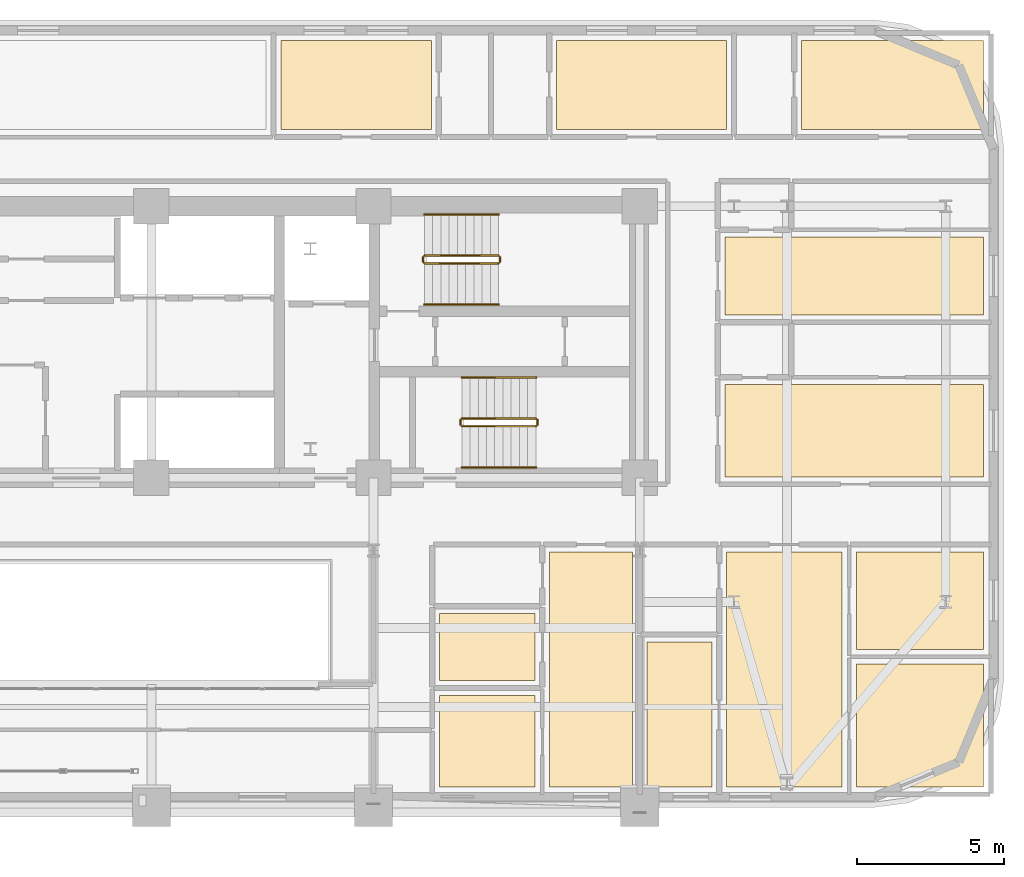
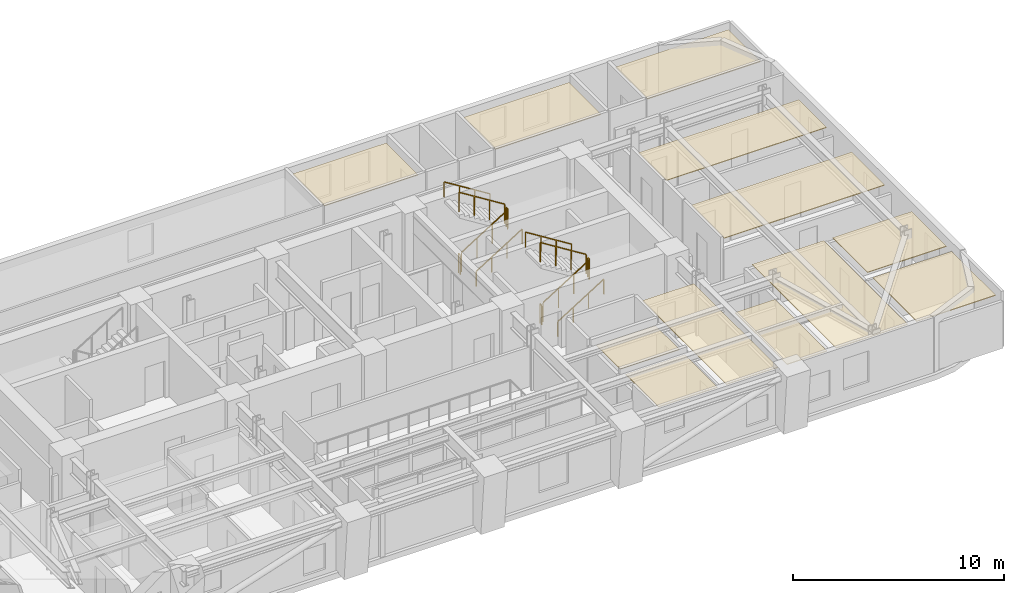
# One storey, part 16 of 16: 12 coverings, 12 railings.
"""IFC4 building model written with IfcOpenShell, lengths in metres."""

from ifc_helpers import new_model, si_unit, direction, frame, origin, origin_2d, place, context, subcontext, project, spatial, polyline, rectangle, outline, extrude, material, layer, layer_set, type_object, element, save


model = new_model("IFC4")

# Units and contexts
model_context = context("Model", 3, precision=1e-05, world=origin(), true_north=direction((0.0, 1.0)))
body_context = subcontext(model_context, "Body", "Model", "MODEL_VIEW")
ifc_project = project(units=[si_unit("LENGTHUNIT", "METRE"), si_unit("AREAUNIT", "SQUARE_METRE"), si_unit("VOLUMEUNIT", "CUBIC_METRE"), si_unit("PLANEANGLEUNIT", "RADIAN"), si_unit("MASSUNIT", "GRAM", prefix="KILO")], contexts=[model_context])

# Site, building, storey
site_placement = place(None, origin())
site = spatial("IfcSite", under=ifc_project, at=site_placement, CompositionType="ELEMENT")
building_placement = place(site_placement, origin())
building = spatial("IfcBuilding", under=site, at=building_placement, Name="Zarnavel Station Tower", CompositionType="ELEMENT")
storey_placement = place(building_placement, frame((0.0, 0.0, 104.800048828125)))
storey = spatial("IfcBuildingStorey", under=building, at=storey_placement, Name="L28", CompositionType="ELEMENT", Elevation=104.800048828125)

# Coverings
ifc_material_1 = material(Name="Perforated Gypsum and Mineral-Wool Acoustic Ceiling", Category="concrete")
ifc_layer = layer(ifc_material_1, 0.0400390625)
ifc_layer_set = layer_set([ifc_layer], Name="COV_CEIL_ACOUSTIC")
covering_type = type_object("IfcCoveringType", Name="COV_CEIL_ACOUSTIC", PredefinedType="CEILING", material=ifc_layer_set)
covering_1_placement = place(storey_placement, frame((0.0, 0.0, 2.919921875)))
element("IfcCovering", 1, at=covering_1_placement, inside=storey, type_object=covering_type, Name="L28 FNE1R Acoustic Ceiling", PredefinedType="CEILING", context=body_context, shape_type="SweptSolid", body=[
    extrude(outline(polyline([(48.300048828125, 27.85009765625), (57.090087890625, 27.85009765625), (57.090087890625, 30.986083984375), (48.300048828125, 30.986083984375), (48.300048828125, 27.85009765625)])), origin(), (0.0, 0.0, 1.0), 0.0400390625),
])
covering_2_placement = place(storey_placement, frame((0.0, 0.0, 2.919921875)))
element("IfcCovering", 2, at=covering_2_placement, inside=storey, type_object=covering_type, Name="L28 FNE2R Acoustic Ceiling", PredefinedType="CEILING", context=body_context, shape_type="SweptSolid", body=[
    extrude(outline(polyline([(48.300048828125, 33.35888671875), (57.090087890625, 33.35888671875), (57.090087890625, 36.0), (48.300048828125, 36.0), (48.300048828125, 33.35888671875)])), origin(), (0.0, 0.0, 1.0), 0.0400390625),
])
covering_3_placement = place(storey_placement, frame((0.0, 0.0, 2.919921875)))
element("IfcCovering", 3, at=covering_3_placement, inside=storey, type_object=covering_type, Name="L28 HN1R Acoustic Ceiling", PredefinedType="CEILING", context=body_context, shape_type="SweptSolid", body=[
    extrude(outline(polyline([(33.199951171875, 39.64990234375), (38.31689453125, 39.64990234375), (38.31689453125, 42.68994140625), (33.199951171875, 42.68994140625), (33.199951171875, 39.64990234375)])), origin(), (0.0, 0.0, 1.0), 0.0400390625),
])
covering_4_placement = place(storey_placement, frame((0.0, 0.0, 2.919921875)))
element("IfcCovering", 4, at=covering_4_placement, inside=storey, type_object=covering_type, Name="L28 HN2R Acoustic Ceiling", PredefinedType="CEILING", context=body_context, shape_type="SweptSolid", body=[
    extrude(outline(polyline([(42.572998046875, 39.64990234375), (48.35009765625, 39.64990234375), (48.35009765625, 42.68994140625), (42.572998046875, 42.68994140625), (42.572998046875, 39.64990234375)])), origin(), (0.0, 0.0, 1.0), 0.0400390625),
])
covering_5_placement = place(storey_placement, frame((0.0, 0.0, 2.919921875)))
element("IfcCovering", 5, at=covering_5_placement, inside=storey, type_object=covering_type, Name="L28 HN3R Acoustic Ceiling", PredefinedType="CEILING", context=body_context, shape_type="SweptSolid", body=[
    extrude(outline(polyline([(50.89990234375, 39.64990234375), (57.090087890625, 39.64990234375), (57.090087890625, 42.68994140625), (50.89990234375, 42.68994140625), (50.89990234375, 39.64990234375)])), origin(), (0.0, 0.0, 1.0), 0.0400390625),
])
covering_6_placement = place(storey_placement, frame((0.0, 0.0, 2.919921875)))
element("IfcCovering", 6, at=covering_6_placement, inside=storey, type_object=covering_type, Name="L28 UE1ALV Acoustic Ceiling", PredefinedType="CEILING", context=body_context, shape_type="SweptSolid", body=[
    extrude(outline(polyline([(42.3369140625, 17.31005859375), (45.14990234375, 17.31005859375), (45.14990234375, 25.300048828125), (42.3369140625, 25.300048828125), (42.3369140625, 17.31005859375)])), origin(), (0.0, 0.0, 1.0), 0.0400390625),
])
covering_7_placement = place(storey_placement, frame((0.0, 0.0, 2.919921875)))
element("IfcCovering", 7, at=covering_7_placement, inside=storey, type_object=covering_type, Name="L28 UE1AB1 Acoustic Ceiling", PredefinedType="CEILING", context=body_context, shape_type="SweptSolid", body=[
    extrude(outline(polyline([(38.60009765625, 17.31005859375), (41.8369140625, 17.31005859375), (41.8369140625, 20.423095703125), (38.60009765625, 20.423095703125), (38.60009765625, 17.31005859375)])), origin(), (0.0, 0.0, 1.0), 0.0400390625),
])
covering_8_placement = place(storey_placement, frame((0.0, 0.0, 2.919921875)))
element("IfcCovering", 8, at=covering_8_placement, inside=storey, type_object=covering_type, Name="L28 UE1AKT Acoustic Ceiling", PredefinedType="CEILING", context=body_context, shape_type="SweptSolid", body=[
    extrude(outline(polyline([(38.60009765625, 20.923095703125), (41.8369140625, 20.923095703125), (41.8369140625, 23.202880859375), (38.60009765625, 23.202880859375), (38.60009765625, 20.923095703125)])), origin(), (0.0, 0.0, 1.0), 0.0400390625),
])
covering_9_placement = place(storey_placement, frame((0.0, 0.0, 2.919921875)))
element("IfcCovering", 9, at=covering_9_placement, inside=storey, type_object=covering_type, Name="L28 UE1BLV Acoustic Ceiling", PredefinedType="CEILING", context=body_context, shape_type="SweptSolid", body=[
    extrude(outline(polyline([(48.35009765625, 17.31005859375), (52.26806640625, 17.31005859375), (52.26806640625, 25.300048828125), (48.35009765625, 25.300048828125), (48.35009765625, 17.31005859375)])), origin(), (0.0, 0.0, 1.0), 0.0400390625),
])
covering_10_placement = place(storey_placement, frame((0.0, 0.0, 2.919921875)))
element("IfcCovering", 10, at=covering_10_placement, inside=storey, type_object=covering_type, Name="L28 UE1BKT Acoustic Ceiling", PredefinedType="CEILING", context=body_context, shape_type="SweptSolid", body=[
    extrude(outline(polyline([(45.64990234375, 17.31005859375), (47.85009765625, 17.31005859375), (47.85009765625, 22.243896484375), (45.64990234375, 22.243896484375), (45.64990234375, 17.31005859375)])), origin(), (0.0, 0.0, 1.0), 0.0400390625),
])
covering_11_placement = place(storey_placement, frame((0.0, 0.0, 2.919921875)))
element("IfcCovering", 11, at=covering_11_placement, inside=storey, type_object=covering_type, Name="L28 UE1BB1 Acoustic Ceiling", PredefinedType="CEILING", context=body_context, shape_type="SweptSolid", body=[
    extrude(outline(polyline([(52.76806640625, 17.31005859375), (57.090087890625, 17.31005859375), (57.090087890625, 21.490966796875), (52.76806640625, 21.490966796875), (52.76806640625, 17.31005859375)])), origin(), (0.0, 0.0, 1.0), 0.0400390625),
])
covering_12_placement = place(storey_placement, frame((0.0, 0.0, 2.919921875)))
element("IfcCovering", 12, at=covering_12_placement, inside=storey, type_object=covering_type, Name="L28 UE1BB2 Acoustic Ceiling", PredefinedType="CEILING", context=body_context, shape_type="SweptSolid", body=[
    extrude(outline(polyline([(52.76806640625, 21.990966796875), (57.090087890625, 21.990966796875), (57.090087890625, 25.300048828125), (52.76806640625, 25.300048828125), (52.76806640625, 21.990966796875)])), origin(), (0.0, 0.0, 1.0), 0.0400390625),
])

# Railings
ifc_material_2 = material(Name="Painted Steel S355J2 Balustrade", Category="steel")
railing_type_1 = type_object("IfcRailingType", Name="GR_INT_1150", PredefinedType="GUARDRAIL", material=ifc_material_2)
railing_1_placement = place(storey_placement, frame((38.080078125, 35.110107421875, 0.175048828125)))
element("IfcRailing", 13, at=railing_1_placement, inside=storey, type_object=railing_type_1, Name="L28 ST2 stair guard 1", PredefinedType="GUARDRAIL", context=body_context, shape_type="SweptSolid", body=[
    extrude(rectangle(XDim=0.048095703125, YDim=0.048095703125, at=origin_2d()), frame((0.001708984375, 0.0, 1.126953125), z_axis=(0.848007534815, 0.0, 0.529984170421), x_axis=(0.0, 1.0, 0.0)), (0.0, 0.0, 1.0), 2.9677734375),
    extrude(rectangle(XDim=0.0419921875, YDim=0.0419921875, at=origin_2d()), origin(), (0.0, 0.0, 1.0), 1.101806640625),
    extrude(rectangle(XDim=0.0419921875, YDim=0.0419921875, at=origin_2d()), frame((0.840087890625, 0.0, 0.52490234375)), (0.0, 0.0, 1.0), 1.101806640625),
    extrude(rectangle(XDim=0.0419921875, YDim=0.0419921875, at=origin_2d()), frame((1.679931640625, 0.0, 1.050048828125)), (0.0, 0.0, 1.0), 1.101806640625),
    extrude(rectangle(XDim=0.0419921875, YDim=0.0419921875, at=origin_2d()), frame((2.52001953125, 0.0, 1.574951171875)), (0.0, 0.0, 1.0), 1.101806640625),
])
railing_2_placement = place(storey_placement, frame((40.64990234375, 35.159912109375, 1.75)))
element("IfcRailing", 14, at=railing_2_placement, inside=storey, type_object=railing_type_1, Name="L28 ST2 stair guard 2", PredefinedType="GUARDRAIL", context=body_context, shape_type="SweptSolid", body=[
    extrude(rectangle(XDim=0.048095703125, YDim=0.048095703125, at=origin_2d()), frame((0.0, 0.001953125, 1.1259765625), z_axis=(0.0, 1.0, 0.0), x_axis=(-1.0, 0.0, 0.0)), (0.0, 0.0, 1.0), 0.15625),
    extrude(rectangle(XDim=0.0419921875, YDim=0.0419921875, at=origin_2d()), origin(), (0.0, 0.0, 1.0), 1.101806640625),
    extrude(rectangle(XDim=0.0419921875, YDim=0.0419921875, at=origin_2d()), frame((0.0, 0.16015625, 0.0)), (0.0, 0.0, 1.0), 1.101806640625),
])
railing_3_placement = place(storey_placement, frame((40.60009765625, 35.3701171875, 1.925048828125)))
element("IfcRailing", 15, at=railing_3_placement, inside=storey, type_object=railing_type_1, Name="L28 ST2 stair guard 3", PredefinedType="GUARDRAIL", context=body_context, shape_type="SweptSolid", body=[
    extrude(rectangle(XDim=0.048095703125, YDim=0.048095703125, at=origin_2d()), frame((-0.001708984375, 0.0, 1.126953125), z_axis=(-0.848007534815, 0.0, 0.529984170421), x_axis=(0.0, -1.0, 0.0)), (0.0, 0.0, 1.0), 2.9677734375),
    extrude(rectangle(XDim=0.0419921875, YDim=0.0419921875, at=origin_2d()), origin(), (0.0, 0.0, 1.0), 1.101806640625),
    extrude(rectangle(XDim=0.0419921875, YDim=0.0419921875, at=origin_2d()), frame((-0.840087890625, 0.0, 0.52490234375)), (0.0, 0.0, 1.0), 1.101806640625),
    extrude(rectangle(XDim=0.0419921875, YDim=0.0419921875, at=origin_2d()), frame((-1.679931640625, 0.0, 1.050048828125)), (0.0, 0.0, 1.0), 1.101806640625),
    extrude(rectangle(XDim=0.0419921875, YDim=0.0419921875, at=origin_2d()), frame((-2.52001953125, 0.0, 1.574951171875)), (0.0, 0.0, 1.0), 1.101806640625),
])
railing_4_placement = place(storey_placement, frame((38.030029296875, 35.159912109375, 0.0)))
element("IfcRailing", 16, at=railing_4_placement, inside=storey, type_object=railing_type_1, Name="L28 ST2 stair guard 4", PredefinedType="GUARDRAIL", context=body_context, shape_type="SweptSolid", body=[
    extrude(rectangle(XDim=0.048095703125, YDim=0.048095703125, at=origin_2d()), frame((0.0, 0.001953125, 1.1259765625), z_axis=(0.0, 1.0, 0.0), x_axis=(-1.0, 0.0, 0.0)), (0.0, 0.0, 1.0), 0.15625),
    extrude(rectangle(XDim=0.0419921875, YDim=0.0419921875, at=origin_2d()), origin(), (0.0, 0.0, 1.0), 1.101806640625),
    extrude(rectangle(XDim=0.0419921875, YDim=0.0419921875, at=origin_2d()), frame((0.0, 0.16015625, 0.0)), (0.0, 0.0, 1.0), 1.101806640625),
])
railing_5_placement = place(storey_placement, frame((39.35009765625, 29.570068359375, 0.175048828125)))
element("IfcRailing", 17, at=railing_5_placement, inside=storey, type_object=railing_type_1, Name="L28 ST3 stair guard 1", PredefinedType="GUARDRAIL", context=body_context, shape_type="SweptSolid", body=[
    extrude(rectangle(XDim=0.048095703125, YDim=0.048095703125, at=origin_2d()), frame((0.001708984375, 0.0, 1.126953125), z_axis=(0.848007534815, 0.0, 0.529984170421), x_axis=(0.0, 1.0, 0.0)), (0.0, 0.0, 1.0), 2.9677734375),
    extrude(rectangle(XDim=0.0419921875, YDim=0.0419921875, at=origin_2d()), origin(), (0.0, 0.0, 1.0), 1.101806640625),
    extrude(rectangle(XDim=0.0419921875, YDim=0.0419921875, at=origin_2d()), frame((0.840087890625, 0.0, 0.52490234375)), (0.0, 0.0, 1.0), 1.101806640625),
    extrude(rectangle(XDim=0.0419921875, YDim=0.0419921875, at=origin_2d()), frame((1.679931640625, 0.0, 1.050048828125)), (0.0, 0.0, 1.0), 1.101806640625),
    extrude(rectangle(XDim=0.0419921875, YDim=0.0419921875, at=origin_2d()), frame((2.52001953125, 0.0, 1.574951171875)), (0.0, 0.0, 1.0), 1.101806640625),
])
railing_6_placement = place(storey_placement, frame((41.919921875, 29.6201171875, 1.75)))
element("IfcRailing", 18, at=railing_6_placement, inside=storey, type_object=railing_type_1, Name="L28 ST3 stair guard 2", PredefinedType="GUARDRAIL", context=body_context, shape_type="SweptSolid", body=[
    extrude(rectangle(XDim=0.048095703125, YDim=0.048095703125, at=origin_2d()), frame((0.0, 0.001953125, 1.1259765625), z_axis=(0.0, 1.0, 0.0), x_axis=(-1.0, 0.0, 0.0)), (0.0, 0.0, 1.0), 0.156005859375),
    extrude(rectangle(XDim=0.0419921875, YDim=0.0419921875, at=origin_2d()), origin(), (0.0, 0.0, 1.0), 1.101806640625),
    extrude(rectangle(XDim=0.0419921875, YDim=0.0419921875, at=origin_2d()), frame((0.0, 0.159912109375, 0.0)), (0.0, 0.0, 1.0), 1.101806640625),
])
railing_7_placement = place(storey_placement, frame((41.8701171875, 29.830078125, 1.925048828125)))
element("IfcRailing", 19, at=railing_7_placement, inside=storey, type_object=railing_type_1, Name="L28 ST3 stair guard 3", PredefinedType="GUARDRAIL", context=body_context, shape_type="SweptSolid", body=[
    extrude(rectangle(XDim=0.048095703125, YDim=0.048095703125, at=origin_2d()), frame((-0.001708984375, 0.0, 1.126953125), z_axis=(-0.848007534815, 0.0, 0.529984170421), x_axis=(0.0, -1.0, 0.0)), (0.0, 0.0, 1.0), 2.9677734375),
    extrude(rectangle(XDim=0.0419921875, YDim=0.0419921875, at=origin_2d()), origin(), (0.0, 0.0, 1.0), 1.101806640625),
    extrude(rectangle(XDim=0.0419921875, YDim=0.0419921875, at=origin_2d()), frame((-0.840087890625, 0.0, 0.52490234375)), (0.0, 0.0, 1.0), 1.101806640625),
    extrude(rectangle(XDim=0.0419921875, YDim=0.0419921875, at=origin_2d()), frame((-1.679931640625, 0.0, 1.050048828125)), (0.0, 0.0, 1.0), 1.101806640625),
    extrude(rectangle(XDim=0.0419921875, YDim=0.0419921875, at=origin_2d()), frame((-2.52001953125, 0.0, 1.574951171875)), (0.0, 0.0, 1.0), 1.101806640625),
])
railing_8_placement = place(storey_placement, frame((39.300048828125, 29.6201171875, 0.0)))
element("IfcRailing", 20, at=railing_8_placement, inside=storey, type_object=railing_type_1, Name="L28 ST3 stair guard 4", PredefinedType="GUARDRAIL", context=body_context, shape_type="SweptSolid", body=[
    extrude(rectangle(XDim=0.048095703125, YDim=0.048095703125, at=origin_2d()), frame((0.0, 0.001953125, 1.1259765625), z_axis=(0.0, 1.0, 0.0), x_axis=(-1.0, 0.0, 0.0)), (0.0, 0.0, 1.0), 0.156005859375),
    extrude(rectangle(XDim=0.0419921875, YDim=0.0419921875, at=origin_2d()), origin(), (0.0, 0.0, 1.0), 1.101806640625),
    extrude(rectangle(XDim=0.0419921875, YDim=0.0419921875, at=origin_2d()), frame((0.0, 0.159912109375, 0.0)), (0.0, 0.0, 1.0), 1.101806640625),
])
ifc_material_3 = material(Name="Brushed Stainless Steel S355J2 Handrail", Category="steel")
railing_type_2 = type_object("IfcRailingType", Name="HR_STAIR_900", PredefinedType="HANDRAIL", material=ifc_material_3)
railing_9_placement = place(storey_placement, frame((38.080078125, 33.7099609375, 0.175048828125)))
element("IfcRailing", 21, at=railing_9_placement, inside=storey, type_object=railing_type_2, Name="L28 ST2 stair handrail 1", PredefinedType="HANDRAIL", context=body_context, shape_type="SweptSolid", body=[
    extrude(rectangle(XDim=0.048095703125, YDim=0.048095703125, at=origin_2d()), frame((0.001708984375, 0.0, 0.876953125), z_axis=(0.848007534815, 0.0, 0.529984170421), x_axis=(0.0, 1.0, 0.0)), (0.0, 0.0, 1.0), 2.9677734375),
    extrude(rectangle(XDim=0.0419921875, YDim=0.0419921875, at=origin_2d()), origin(), (0.0, 0.0, 1.0), 0.851806640625),
    extrude(rectangle(XDim=0.0419921875, YDim=0.0419921875, at=origin_2d()), frame((0.840087890625, 0.0, 0.52490234375)), (0.0, 0.0, 1.0), 0.851806640625),
    extrude(rectangle(XDim=0.0419921875, YDim=0.0419921875, at=origin_2d()), frame((1.679931640625, 0.0, 1.050048828125)), (0.0, 0.0, 1.0), 0.851806640625),
    extrude(rectangle(XDim=0.0419921875, YDim=0.0419921875, at=origin_2d()), frame((2.52001953125, 0.0, 1.574951171875)), (0.0, 0.0, 1.0), 0.851806640625),
])
railing_10_placement = place(storey_placement, frame((40.60009765625, 36.77001953125, 1.925048828125)))
element("IfcRailing", 22, at=railing_10_placement, inside=storey, type_object=railing_type_2, Name="L28 ST2 stair handrail 2", PredefinedType="HANDRAIL", context=body_context, shape_type="SweptSolid", body=[
    extrude(rectangle(XDim=0.048095703125, YDim=0.048095703125, at=origin_2d()), frame((-0.001708984375, 0.0, 0.876953125), z_axis=(-0.848007534815, 0.0, 0.529984170421), x_axis=(0.0, -1.0, 0.0)), (0.0, 0.0, 1.0), 2.9677734375),
    extrude(rectangle(XDim=0.0419921875, YDim=0.0419921875, at=origin_2d()), origin(), (0.0, 0.0, 1.0), 0.851806640625),
    extrude(rectangle(XDim=0.0419921875, YDim=0.0419921875, at=origin_2d()), frame((-0.840087890625, 0.0, 0.52490234375)), (0.0, 0.0, 1.0), 0.851806640625),
    extrude(rectangle(XDim=0.0419921875, YDim=0.0419921875, at=origin_2d()), frame((-1.679931640625, 0.0, 1.050048828125)), (0.0, 0.0, 1.0), 0.851806640625),
    extrude(rectangle(XDim=0.0419921875, YDim=0.0419921875, at=origin_2d()), frame((-2.52001953125, 0.0, 1.574951171875)), (0.0, 0.0, 1.0), 0.851806640625),
])
railing_11_placement = place(storey_placement, frame((39.35009765625, 28.169921875, 0.175048828125)))
element("IfcRailing", 23, at=railing_11_placement, inside=storey, type_object=railing_type_2, Name="L28 ST3 stair handrail 1", PredefinedType="HANDRAIL", context=body_context, shape_type="SweptSolid", body=[
    extrude(rectangle(XDim=0.048095703125, YDim=0.048095703125, at=origin_2d()), frame((0.001708984375, 0.0, 0.876953125), z_axis=(0.848007534815, 0.0, 0.529984170421), x_axis=(0.0, 1.0, 0.0)), (0.0, 0.0, 1.0), 2.9677734375),
    extrude(rectangle(XDim=0.0419921875, YDim=0.0419921875, at=origin_2d()), origin(), (0.0, 0.0, 1.0), 0.851806640625),
    extrude(rectangle(XDim=0.0419921875, YDim=0.0419921875, at=origin_2d()), frame((0.840087890625, 0.0, 0.52490234375)), (0.0, 0.0, 1.0), 0.851806640625),
    extrude(rectangle(XDim=0.0419921875, YDim=0.0419921875, at=origin_2d()), frame((1.679931640625, 0.0, 1.050048828125)), (0.0, 0.0, 1.0), 0.851806640625),
    extrude(rectangle(XDim=0.0419921875, YDim=0.0419921875, at=origin_2d()), frame((2.52001953125, 0.0, 1.574951171875)), (0.0, 0.0, 1.0), 0.851806640625),
])
railing_12_placement = place(storey_placement, frame((41.8701171875, 31.22998046875, 1.925048828125)))
element("IfcRailing", 24, at=railing_12_placement, inside=storey, type_object=railing_type_2, Name="L28 ST3 stair handrail 2", PredefinedType="HANDRAIL", context=body_context, shape_type="SweptSolid", body=[
    extrude(rectangle(XDim=0.048095703125, YDim=0.048095703125, at=origin_2d()), frame((-0.001708984375, 0.0, 0.876953125), z_axis=(-0.848007534815, 0.0, 0.529984170421), x_axis=(0.0, -1.0, 0.0)), (0.0, 0.0, 1.0), 2.9677734375),
    extrude(rectangle(XDim=0.0419921875, YDim=0.0419921875, at=origin_2d()), origin(), (0.0, 0.0, 1.0), 0.851806640625),
    extrude(rectangle(XDim=0.0419921875, YDim=0.0419921875, at=origin_2d()), frame((-0.840087890625, 0.0, 0.52490234375)), (0.0, 0.0, 1.0), 0.851806640625),
    extrude(rectangle(XDim=0.0419921875, YDim=0.0419921875, at=origin_2d()), frame((-1.679931640625, 0.0, 1.050048828125)), (0.0, 0.0, 1.0), 0.851806640625),
    extrude(rectangle(XDim=0.0419921875, YDim=0.0419921875, at=origin_2d()), frame((-2.52001953125, 0.0, 1.574951171875)), (0.0, 0.0, 1.0), 0.851806640625),
])

save(model, "model.ifc")
